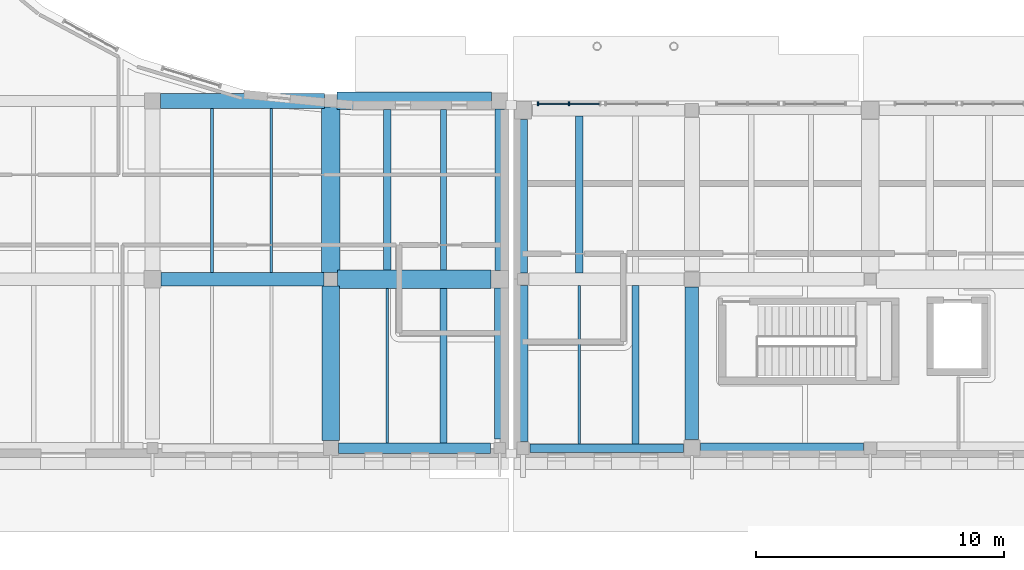
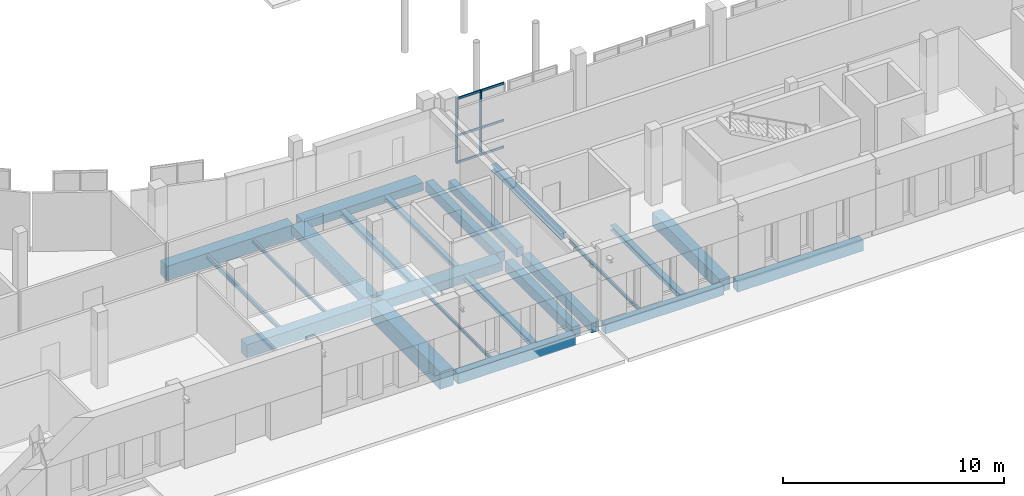
# One storey, part 9 of 77: 23 beams, 8 members, 1 element without a shape of its own.
"""IFC4 building model written with IfcOpenShell, lengths in metres."""

from ifc_helpers import new_model, si_unit, direction, frame, origin, origin_2d, place, context, subcontext, project, spatial, rectangle, i_section, extrude, material, layer, layer_set, material_profile, profile_set, type_object, element, aggregate, save


model = new_model("IFC4")

# Units and contexts
model_context = context("Model", 3, precision=1e-05, world=origin(), true_north=direction((0.0, 1.0)))
body_context = subcontext(model_context, "Body", "Model", "MODEL_VIEW")
ifc_project = project(units=[si_unit("LENGTHUNIT", "METRE"), si_unit("AREAUNIT", "SQUARE_METRE"), si_unit("VOLUMEUNIT", "CUBIC_METRE"), si_unit("PLANEANGLEUNIT", "RADIAN"), si_unit("MASSUNIT", "GRAM", prefix="KILO")], contexts=[model_context])

# Site, building, storey
site_placement = place(None, origin())
site = spatial("IfcSite", under=ifc_project, at=site_placement, CompositionType="ELEMENT")
building_placement = place(site_placement, origin())
building = spatial("IfcBuilding", under=site, at=building_placement, Name="Vardoun Plaza Health Centre", CompositionType="ELEMENT")
storey_placement = place(building_placement, origin())
storey = spatial("IfcBuildingStorey", under=building, at=storey_placement, Name="L00", CompositionType="ELEMENT", Elevation=0.0)

# Beams
ifc_material_1 = material(Name="Concrete C35/45", Category="concrete")
ifc_material_profile_1 = material_profile(ifc_material_1, rectangle(XDim=0.35009765625, YDim=0.5, at=origin_2d()), Name="RC-BM 350x500")
ifc_profile_set_1 = profile_set([ifc_material_profile_1], Name="Concrete C35/45")
beam_type_1 = type_object("IfcBeamType", Name="B-08", PredefinedType="SPANDREL", material=ifc_profile_set_1)
for number, where, z_axis, x_axis, name in (
    (1, (48.534912109375, 4.8798828125, -0.56494140625), (1.0, 0.0, 0.0), (0.0, 1.0, 0.0), "V4 L00 Beam B-V4-L00-X01"),
    (2, (48.260009765625, 11.949951171875, -0.56494140625), (0.0, 1.0, 0.0), (-1.0, 0.0, 0.0), "V4 L00 Beam B-V4-L00-Y26"),
):
    element("IfcBeam", number, at=place(storey_placement, frame(where, z_axis=z_axis, x_axis=x_axis)), inside=storey, type_object=beam_type_1, Name=name, PredefinedType="SPANDREL", context=body_context, shape_type="SweptSolid", body=[
        extrude(rectangle(XDim=0.35009765625, YDim=0.5, at=origin_2d()), origin(), (0.0, 0.0, 1.0), 6.195068359375),
    ])
ifc_material_2 = material(Name="Concrete C35/45", Category="concrete")
ifc_material_profile_2 = material_profile(ifc_material_2, rectangle(XDim=0.39990234375, YDim=0.550048828125, at=origin_2d()), Name="RC-BM 400x550")
ifc_profile_set_2 = profile_set([ifc_material_profile_2], Name="Concrete C35/45")
beam_type_2 = type_object("IfcBeamType", Name="B-09", PredefinedType="SPANDREL", material=ifc_profile_set_2)
beam_1_placement = place(storey_placement, frame((47.320068359375, 12.050048828125, -0.554931640625), z_axis=(0.0, 1.0, 0.0), x_axis=(-1.0, 0.0, 0.0)))
element("IfcBeam", 3, at=beam_1_placement, inside=storey, type_object=beam_type_2, Name="V2 L00 Beam B-V2-L00-Y67", PredefinedType="SPANDREL", context=body_context, shape_type="SweptSolid", body=[
    extrude(rectangle(XDim=0.39990234375, YDim=0.550048828125, at=origin_2d()), origin(), (0.0, 0.0, 1.0), 6.52490234375),
])
beam_2_placement = place(storey_placement, frame((48.260009765625, 5.155029296875, -0.590087890625), z_axis=(0.0, 1.0, 0.0), x_axis=(-1.0, 0.0, 0.0)))
element("IfcBeam", 4, at=beam_2_placement, inside=storey, type_object=beam_type_2, Name="V4 L00 Beam B-V4-L00-Y25", PredefinedType="SPANDREL", context=body_context, shape_type="SweptSolid", body=[
    extrude(rectangle(XDim=0.39990234375, YDim=0.550048828125, at=origin_2d()), origin(), (0.0, 0.0, 1.0), 6.294921875),
])
ifc_material_3 = material(Name="Concrete C35/45", Category="concrete")
ifc_material_profile_3 = material_profile(ifc_material_3, rectangle(XDim=0.419921875, YDim=0.580078125, at=origin_2d()), Name="RC-BM 420x580")
ifc_profile_set_3 = profile_set([ifc_material_profile_3], Name="Concrete C35/45")
beam_type_3 = type_object("IfcBeamType", Name="B-10", PredefinedType="SPANDREL", material=ifc_profile_set_3)
beam_3_placement = place(storey_placement, frame((40.800048828125, 4.8798828125, -0.570068359375), z_axis=(1.0, 0.0, 0.0), x_axis=(0.0, 1.0, 0.0)))
element("IfcBeam", 5, at=beam_3_placement, inside=storey, type_object=beam_type_3, Name="V2 L00 Beam B-V2-L00-X31", PredefinedType="SPANDREL", context=body_context, shape_type="SweptSolid", body=[
    extrude(rectangle(XDim=0.419921875, YDim=0.580078125, at=origin_2d()), origin(), (0.0, 0.0, 1.0), 6.14501953125),
])
beam_4_placement = place(storey_placement, frame((47.320068359375, 5.2548828125, -0.570068359375), z_axis=(0.0, 1.0, 0.0), x_axis=(-1.0, 0.0, 0.0)))
element("IfcBeam", 6, at=beam_4_placement, inside=storey, type_object=beam_type_3, Name="V2 L00 Beam B-V2-L00-Y66", PredefinedType="SPANDREL", context=body_context, shape_type="SweptSolid", body=[
    extrude(rectangle(XDim=0.419921875, YDim=0.580078125, at=origin_2d()), origin(), (0.0, 0.0, 1.0), 6.09521484375),
])
beam_5_placement = place(storey_placement, frame((55.429931640625, 4.8798828125, -0.60498046875), z_axis=(1.0, 0.0, 0.0), x_axis=(0.0, 1.0, 0.0)))
element("IfcBeam", 7, at=beam_5_placement, inside=storey, type_object=beam_type_3, Name="V4 L00 Beam B-V4-L00-X04", PredefinedType="SPANDREL", context=body_context, shape_type="SweptSolid", body=[
    extrude(rectangle(XDim=0.419921875, YDim=0.580078125, at=origin_2d()), origin(), (0.0, 0.0, 1.0), 6.574951171875),
])
ifc_material_4 = material(Name="Concrete C40/50", Category="concrete")
ifc_material_profile_4 = material_profile(ifc_material_4, rectangle(XDim=0.550048828125, YDim=0.719970703125, at=origin_2d()), Name="RC-BM 550x720")
ifc_profile_set_4 = profile_set([ifc_material_profile_4], Name="Concrete C40/50")
beam_type_4 = type_object("IfcBeamType", Name="B-14", PredefinedType="BEAM", material=ifc_profile_set_4)
beam_6_placement = place(storey_placement, frame((33.650146484375, 11.699951171875, -0.639892578125), z_axis=(1.0, 0.0, 0.0), x_axis=(0.0, 1.0, 0.0)))
element("IfcBeam", 8, at=beam_6_placement, inside=storey, type_object=beam_type_4, Name="V2 L00 Beam B-V2-L00-X29", PredefinedType="BEAM", context=body_context, shape_type="SweptSolid", body=[
    extrude(rectangle(XDim=0.550048828125, YDim=0.719970703125, at=origin_2d()), origin(), (0.0, 0.0, 1.0), 6.574951171875),
])
beam_7_placement = place(storey_placement, frame((55.080078125, 5.22998046875, -0.675048828125), z_axis=(0.0, 1.0, 0.0), x_axis=(-1.0, 0.0, 0.0)))
element("IfcBeam", 9, at=beam_7_placement, inside=storey, type_object=beam_type_4, Name="V4 L00 Beam B-V4-L00-Y27", PredefinedType="BEAM", context=body_context, shape_type="SweptSolid", body=[
    extrude(rectangle(XDim=0.550048828125, YDim=0.719970703125, at=origin_2d()), origin(), (0.0, 0.0, 1.0), 6.14501953125),
])
ifc_material_5 = material(Name="Concrete C40/50", Category="concrete")
ifc_material_profile_5 = material_profile(ifc_material_5, rectangle(XDim=0.60009765625, YDim=0.800048828125, at=origin_2d()), Name="RC-BM 600x800")
ifc_profile_set_5 = profile_set([ifc_material_profile_5], Name="Concrete C40/50")
beam_type_5 = type_object("IfcBeamType", Name="B-15", PredefinedType="JOIST", material=ifc_profile_set_5)
beam_8_placement = place(storey_placement, frame((33.625, 18.89990234375, -0.679931640625), z_axis=(1.0, 0.0, 0.0), x_axis=(0.0, 1.0, 0.0)))
element("IfcBeam", 10, at=beam_8_placement, inside=storey, type_object=beam_type_5, Name="V2 L00 Beam B-V2-L00-X30", PredefinedType="JOIST", context=body_context, shape_type="SweptSolid", body=[
    extrude(rectangle(XDim=0.60009765625, YDim=0.800048828125, at=origin_2d()), origin(), (0.0, 0.0, 1.0), 6.625),
])
ifc_material_6 = material(Name="Concrete C35/45", Category="concrete")
ifc_material_profile_6 = material_profile(ifc_material_6, rectangle(XDim=0.699951171875, YDim=0.449951171875, at=origin_2d()), Name="RC-BM 700x450")
ifc_profile_set_6 = profile_set([ifc_material_profile_6], Name="Concrete C35/45")
beam_type_6 = type_object("IfcBeamType", Name="B-06", PredefinedType="BEAM", material=ifc_profile_set_6)
beam_9_placement = place(storey_placement, frame((40.75, 18.89990234375, -0.5048828125), z_axis=(1.0, 0.0, 0.0), x_axis=(0.0, 1.0, 0.0)))
element("IfcBeam", 11, at=beam_9_placement, inside=storey, type_object=beam_type_6, Name="V2 L00 Beam B-V2-L00-X33", PredefinedType="BEAM", context=body_context, shape_type="SweptSolid", body=[
    extrude(rectangle(XDim=0.699951171875, YDim=0.449951171875, at=origin_2d()), origin(), (0.0, 0.0, 1.0), 6.2451171875),
])
ifc_material_7 = material(Name="Concrete C40/50", Category="concrete")
ifc_material_profile_7 = material_profile(ifc_material_7, rectangle(XDim=0.699951171875, YDim=0.949951171875, at=origin_2d()), Name="RC-BM 700x950")
ifc_profile_set_7 = profile_set([ifc_material_profile_7], Name="Concrete C40/50")
beam_type_7 = type_object("IfcBeamType", Name="B-16", PredefinedType="LINTEL", material=ifc_profile_set_7)
beam_10_placement = place(storey_placement, frame((40.5, 5.179931640625, -0.7548828125), z_axis=(0.0, 1.0, 0.0), x_axis=(-1.0, 0.0, 0.0)))
element("IfcBeam", 12, at=beam_10_placement, inside=storey, type_object=beam_type_7, Name="V2 L00 Beam B-V2-L00-Y64", PredefinedType="LINTEL", context=body_context, shape_type="SweptSolid", body=[
    extrude(rectangle(XDim=0.699951171875, YDim=0.949951171875, at=origin_2d()), origin(), (0.0, 0.0, 1.0), 6.2451171875),
])
ifc_material_8 = material(Name="Concrete C35/45", Category="concrete")
ifc_material_profile_8 = material_profile(ifc_material_8, rectangle(XDim=0.75, YDim=0.47998046875, at=origin_2d()), Name="RC-BM 750x480")
ifc_profile_set_8 = profile_set([ifc_material_profile_8], Name="Concrete C35/45")
beam_type_8 = type_object("IfcBeamType", Name="B-07", PredefinedType="BEAM", material=ifc_profile_set_8)
beam_11_placement = place(storey_placement, frame((40.775146484375, 11.699951171875, -0.52001953125), z_axis=(1.0, 0.0, 0.0), x_axis=(0.0, 1.0, 0.0)))
element("IfcBeam", 13, at=beam_11_placement, inside=storey, type_object=beam_type_8, Name="V2 L00 Beam B-V2-L00-X32", PredefinedType="BEAM", context=body_context, shape_type="SweptSolid", body=[
    extrude(rectangle(XDim=0.75, YDim=0.47998046875, at=origin_2d()), origin(), (0.0, 0.0, 1.0), 6.19482421875),
])
beam_12_placement = place(storey_placement, frame((40.5, 11.97509765625, -0.52001953125), z_axis=(0.0, 1.0, 0.0), x_axis=(-1.0, 0.0, 0.0)))
element("IfcBeam", 14, at=beam_12_placement, inside=storey, type_object=beam_type_8, Name="V2 L00 Beam B-V2-L00-Y65", PredefinedType="BEAM", context=body_context, shape_type="SweptSolid", body=[
    extrude(rectangle(XDim=0.75, YDim=0.47998046875, at=origin_2d()), origin(), (0.0, 0.0, 1.0), 6.6748046875),
])
ifc_material_9 = material(Name="Steel S355J2", Category="steel")
ifc_material_profile_9 = material_profile(ifc_material_9, i_section(OverallWidth=0.239990234375, OverallDepth=0.22998046875, WebThickness=0.007568359375, FlangeThickness=0.011962890625, FilletRadius=0.02099609375, at=origin_2d()), Name="HEA 240")
ifc_profile_set_9 = profile_set([ifc_material_profile_9], Name="Steel S355J2")
beam_type_9 = type_object("IfcBeamType", Name="SB-07", PredefinedType="BEAM", material=ifc_profile_set_9)
beam_13_placement = place(storey_placement, frame((45.046875, 12.074951171875, -0.39501953125), z_axis=(0.0, 1.0, 0.0), x_axis=(-1.0, 0.0, 0.0)))
element("IfcBeam", 15, at=beam_13_placement, inside=storey, type_object=beam_type_9, Name="V2 L00 Secondary Floor Beam SJ-V2-L00-46", PredefinedType="BEAM", context=body_context, shape_type="SweptSolid", body=[
    extrude(i_section(OverallWidth=0.239990234375, OverallDepth=0.22998046875, WebThickness=0.007568359375, FlangeThickness=0.011962890625, FilletRadius=0.02099609375, at=origin_2d()), origin(), (0.0, 0.0, 1.0), 6.47509765625),
])
ifc_material_10 = material(Name="Steel S355J2", Category="steel")
ifc_material_profile_10 = material_profile(ifc_material_10, i_section(OverallWidth=0.280029296875, OverallDepth=0.27001953125, WebThickness=0.008056640625, FlangeThickness=0.012939453125, FilletRadius=0.02392578125, at=origin_2d()), Name="HEA 280")
ifc_profile_set_10 = profile_set([ifc_material_profile_10], Name="Steel S355J2")
beam_type_10 = type_object("IfcBeamType", Name="SB-06", PredefinedType="BEAM", material=ifc_profile_set_10)
beam_14_placement = place(storey_placement, frame((45.046875, 5.090087890625, -0.4150390625), z_axis=(0.0, 1.0, 0.0), x_axis=(-1.0, 0.0, 0.0)))
element("IfcBeam", 16, at=beam_14_placement, inside=storey, type_object=beam_type_10, Name="V2 L00 Secondary Floor Beam SJ-V2-L00-45", PredefinedType="BEAM", context=body_context, shape_type="SweptSolid", body=[
    extrude(i_section(OverallWidth=0.280029296875, OverallDepth=0.27001953125, WebThickness=0.008056640625, FlangeThickness=0.012939453125, FilletRadius=0.02392578125, at=origin_2d()), origin(), (0.0, 0.0, 1.0), 6.23486328125),
])
beam_15_placement = place(storey_placement, frame((52.806884765625, 5.054931640625, -0.449951171875), z_axis=(0.0, 1.0, 0.0), x_axis=(-1.0, 0.0, 0.0)))
element("IfcBeam", 17, at=beam_15_placement, inside=storey, type_object=beam_type_10, Name="V4 L00 Secondary Floor Beam SJ-V4-L00-03", PredefinedType="BEAM", context=body_context, shape_type="SweptSolid", body=[
    extrude(i_section(OverallWidth=0.280029296875, OverallDepth=0.27001953125, WebThickness=0.008056640625, FlangeThickness=0.012939453125, FilletRadius=0.02392578125, at=origin_2d()), origin(), (0.0, 0.0, 1.0), 6.39501953125),
])
ifc_material_11 = material(Name="Steel S355J2", Category="steel")
ifc_material_profile_11 = material_profile(ifc_material_11, i_section(OverallWidth=0.300048828125, OverallDepth=0.330078125, WebThickness=0.009521484375, FlangeThickness=0.0166015625, FilletRadius=0.027099609375, at=origin_2d()), Name="HEA 340")
ifc_profile_set_11 = profile_set([ifc_material_profile_11], Name="Steel S355J2")
beam_type_11 = type_object("IfcBeamType", Name="SB-04", PredefinedType="BEAM", material=ifc_profile_set_11)
beam_16_placement = place(storey_placement, frame((42.773193359375, 12.074951171875, -0.445068359375), z_axis=(0.0, 1.0, 0.0), x_axis=(-1.0, 0.0, 0.0)))
element("IfcBeam", 18, at=beam_16_placement, inside=storey, type_object=beam_type_11, Name="V2 L00 Secondary Floor Beam SJ-V2-L00-44", PredefinedType="BEAM", context=body_context, shape_type="SweptSolid", body=[
    extrude(i_section(OverallWidth=0.300048828125, OverallDepth=0.330078125, WebThickness=0.009521484375, FlangeThickness=0.0166015625, FilletRadius=0.027099609375, at=origin_2d()), origin(), (0.0, 0.0, 1.0), 6.47509765625),
])
beam_17_placement = place(storey_placement, frame((50.533203125, 11.949951171875, -0.47998046875), z_axis=(0.0, 1.0, 0.0), x_axis=(-1.0, 0.0, 0.0)))
element("IfcBeam", 19, at=beam_17_placement, inside=storey, type_object=beam_type_11, Name="V4 L00 Secondary Floor Beam SJ-V4-L00-02", PredefinedType="BEAM", context=body_context, shape_type="SweptSolid", body=[
    extrude(i_section(OverallWidth=0.300048828125, OverallDepth=0.330078125, WebThickness=0.009521484375, FlangeThickness=0.0166015625, FilletRadius=0.027099609375, at=origin_2d()), origin(), (0.0, 0.0, 1.0), 6.344970703125),
])
ifc_material_12 = material(Name="Steel S355J2", Category="steel")
ifc_material_profile_12 = material_profile(ifc_material_12, i_section(OverallWidth=0.091064453125, OverallDepth=0.179931640625, WebThickness=0.00537109375, FlangeThickness=0.008056640625, FilletRadius=0.009033203125, at=origin_2d()), Name="IPE 180")
ifc_profile_set_12 = profile_set([ifc_material_profile_12], Name="Steel S355J2")
beam_type_12 = type_object("IfcBeamType", Name="SB-20", PredefinedType="SPANDREL", material=ifc_profile_set_12)
beam_18_placement = place(storey_placement, frame((42.773193359375, 5.090087890625, -0.3701171875), z_axis=(0.0, 1.0, 0.0), x_axis=(-1.0, 0.0, 0.0)))
element("IfcBeam", 20, at=beam_18_placement, inside=storey, type_object=beam_type_12, Name="V2 L00 Secondary Floor Beam SJ-V2-L00-43", PredefinedType="SPANDREL", context=body_context, shape_type="SweptSolid", body=[
    extrude(i_section(OverallWidth=0.091064453125, OverallDepth=0.179931640625, WebThickness=0.00537109375, FlangeThickness=0.008056640625, FilletRadius=0.009033203125, at=origin_2d()), origin(), (0.0, 0.0, 1.0), 6.23486328125),
])
beam_19_placement = place(storey_placement, frame((50.533203125, 5.054931640625, -0.405029296875), z_axis=(0.0, 1.0, 0.0), x_axis=(-1.0, 0.0, 0.0)))
element("IfcBeam", 21, at=beam_19_placement, inside=storey, type_object=beam_type_12, Name="V4 L00 Secondary Floor Beam SJ-V4-L00-01", PredefinedType="SPANDREL", context=body_context, shape_type="SweptSolid", body=[
    extrude(i_section(OverallWidth=0.091064453125, OverallDepth=0.179931640625, WebThickness=0.00537109375, FlangeThickness=0.008056640625, FilletRadius=0.009033203125, at=origin_2d()), origin(), (0.0, 0.0, 1.0), 6.39501953125),
])
ifc_material_13 = material(Name="Steel S355J2", Category="steel")
ifc_material_profile_13 = material_profile(ifc_material_13, i_section(OverallWidth=0.10009765625, OverallDepth=0.199951171875, WebThickness=0.005615234375, FlangeThickness=0.008544921875, FilletRadius=0.011962890625, at=origin_2d()), Name="IPE 200")
ifc_profile_set_13 = profile_set([ifc_material_profile_13], Name="Steel S355J2")
beam_type_13 = type_object("IfcBeamType", Name="SB-19", PredefinedType="SPANDREL", material=ifc_profile_set_13)
beam_20_placement = place(storey_placement, frame((38.10009765625, 11.97509765625, -0.3798828125), z_axis=(0.0, 1.0, 0.0), x_axis=(-1.0, 0.0, 0.0)))
element("IfcBeam", 22, at=beam_20_placement, inside=storey, type_object=beam_type_13, Name="V2 L00 Secondary Floor Beam SJ-V2-L00-42", PredefinedType="SPANDREL", context=body_context, shape_type="SweptSolid", body=[
    extrude(i_section(OverallWidth=0.10009765625, OverallDepth=0.199951171875, WebThickness=0.005615234375, FlangeThickness=0.008544921875, FilletRadius=0.011962890625, at=origin_2d()), origin(), (0.0, 0.0, 1.0), 6.625),
])
ifc_material_14 = material(Name="Steel S355J2", Category="steel")
ifc_material_profile_14 = material_profile(ifc_material_14, i_section(OverallWidth=0.1201171875, OverallDepth=0.239990234375, WebThickness=0.006103515625, FlangeThickness=0.009765625, FilletRadius=0.014892578125, at=origin_2d()), Name="IPE 240")
ifc_profile_set_14 = profile_set([ifc_material_profile_14], Name="Steel S355J2")
beam_type_14 = type_object("IfcBeamType", Name="SB-17", PredefinedType="JOIST", material=ifc_profile_set_14)
beam_21_placement = place(storey_placement, frame((35.69970703125, 11.97509765625, -0.39990234375), z_axis=(0.0, 1.0, 0.0), x_axis=(-1.0, 0.0, 0.0)))
element("IfcBeam", 23, at=beam_21_placement, inside=storey, type_object=beam_type_14, Name="V2 L00 Secondary Floor Beam SJ-V2-L00-40", PredefinedType="JOIST", context=body_context, shape_type="SweptSolid", body=[
    extrude(i_section(OverallWidth=0.1201171875, OverallDepth=0.239990234375, WebThickness=0.006103515625, FlangeThickness=0.009765625, FilletRadius=0.014892578125, at=origin_2d()), origin(), (0.0, 0.0, 1.0), 6.625),
])

# Curtain wall, members
ifc_material_15 = material(Name="Aluminium Alloy EN AW-6063-T6 and Low-E Glass", Category="aluminium")
ifc_layer = layer(ifc_material_15, 0.14990234375)
ifc_layer_set = layer_set([ifc_layer], Name="Aluminium Alloy EN AW-6063-T6 and Low-E Glass")
curtain_wall_type = type_object("IfcCurtainWallType", Name="CW-03", PredefinedType="NOTDEFINED", material=ifc_layer_set)
curtain_wall_placement = place(storey_placement, origin())
curtain_wall = element("IfcCurtainWall", 24, at=curtain_wall_placement, inside=storey, type_object=curtain_wall_type, Name="Curtain Wall CW-V4-101", PredefinedType="NOTDEFINED")
ifc_material_16 = material(Name="Aluminium Alloy EN AW-6063-T6", Category="aluminium")
ifc_material_profile_15 = material_profile(ifc_material_16, rectangle(XDim=0.159912109375, YDim=0.06005859375, at=origin_2d()), Name="CWM 60x160")
ifc_profile_set_15 = profile_set([ifc_material_profile_15], Name="Aluminium Alloy EN AW-6063-T6")
member_type_1 = type_object("IfcMemberType", Name="CW-M1", PredefinedType="MULLION", material=ifc_profile_set_15)
member_1_placement = place(storey_placement, frame((48.8701171875, 18.780029296875, 0.0), z_axis=(0.0, 0.0, 1.0), x_axis=(0.0, 1.0, 0.0)))
member_1 = element("IfcMember", 25, at=member_1_placement, type_object=member_type_1, Name="CW-V4-101 mullion 1", PredefinedType="MULLION", context=body_context, shape_type="SweptSolid", body=[
    extrude(rectangle(XDim=0.159912109375, YDim=0.06005859375, at=origin_2d()), origin(), (0.0, 0.0, 1.0), 3.590087890625),
])
member_2_placement = place(storey_placement, frame((50.1201171875, 18.780029296875, 0.0), z_axis=(0.0, 0.0, 1.0), x_axis=(0.0, 1.0, 0.0)))
member_2 = element("IfcMember", 26, at=member_2_placement, type_object=member_type_1, Name="CW-V4-101 mullion 2", PredefinedType="MULLION", context=body_context, shape_type="SweptSolid", body=[
    extrude(rectangle(XDim=0.159912109375, YDim=0.06005859375, at=origin_2d()), origin(), (0.0, 0.0, 1.0), 3.590087890625),
])
ifc_material_17 = material(Name="Aluminium Alloy EN AW-6063-T6", Category="aluminium")
ifc_material_profile_16 = material_profile(ifc_material_17, rectangle(XDim=0.06005859375, YDim=0.1201171875, at=origin_2d()), Name="CWT 60x120")
ifc_profile_set_16 = profile_set([ifc_material_profile_16], Name="Aluminium Alloy EN AW-6063-T6")
member_type_2 = type_object("IfcMemberType", Name="CW-T1", PredefinedType="USERDEFINED", material=ifc_profile_set_16)
member_3_placement = place(storey_placement, frame((48.900146484375, 18.780029296875, 0.030029296875), z_axis=(1.0, 0.0, 0.0), x_axis=(0.0, 1.0, 0.0)))
member_3 = element("IfcMember", 27, at=member_3_placement, type_object=member_type_2, Name="CW-V4-101 transom 1.1", ObjectType="TRANSOM", PredefinedType="USERDEFINED", context=body_context, shape_type="SweptSolid", body=[
    extrude(rectangle(XDim=0.06005859375, YDim=0.1201171875, at=origin_2d()), origin(), (0.0, 0.0, 1.0), 1.18994140625),
])
member_4_placement = place(storey_placement, frame((48.900146484375, 18.780029296875, 1.5078125), z_axis=(1.0, 0.0, 0.0), x_axis=(0.0, 1.0, 0.0)))
member_4 = element("IfcMember", 28, at=member_4_placement, type_object=member_type_2, Name="CW-V4-101 transom 1.2", ObjectType="TRANSOM", PredefinedType="USERDEFINED", context=body_context, shape_type="SweptSolid", body=[
    extrude(rectangle(XDim=0.06005859375, YDim=0.1201171875, at=origin_2d()), origin(), (0.0, 0.0, 1.0), 1.18994140625),
])
member_5_placement = place(storey_placement, frame((48.900146484375, 18.780029296875, 3.56005859375), z_axis=(1.0, 0.0, 0.0), x_axis=(0.0, 1.0, 0.0)))
member_5 = element("IfcMember", 29, at=member_5_placement, type_object=member_type_2, Name="CW-V4-101 transom 1.3", ObjectType="TRANSOM", PredefinedType="USERDEFINED", context=body_context, shape_type="SweptSolid", body=[
    extrude(rectangle(XDim=0.06005859375, YDim=0.1201171875, at=origin_2d()), origin(), (0.0, 0.0, 1.0), 1.18994140625),
])
member_6_placement = place(storey_placement, frame((50.150146484375, 18.780029296875, 0.030029296875), z_axis=(1.0, 0.0, 0.0), x_axis=(0.0, 1.0, 0.0)))
member_6 = element("IfcMember", 30, at=member_6_placement, type_object=member_type_2, Name="CW-V4-101 transom 2.1", ObjectType="TRANSOM", PredefinedType="USERDEFINED", context=body_context, shape_type="SweptSolid", body=[
    extrude(rectangle(XDim=0.06005859375, YDim=0.1201171875, at=origin_2d()), origin(), (0.0, 0.0, 1.0), 1.18994140625),
])
member_7_placement = place(storey_placement, frame((50.150146484375, 18.780029296875, 1.5078125), z_axis=(1.0, 0.0, 0.0), x_axis=(0.0, 1.0, 0.0)))
member_7 = element("IfcMember", 31, at=member_7_placement, type_object=member_type_2, Name="CW-V4-101 transom 2.2", ObjectType="TRANSOM", PredefinedType="USERDEFINED", context=body_context, shape_type="SweptSolid", body=[
    extrude(rectangle(XDim=0.06005859375, YDim=0.1201171875, at=origin_2d()), origin(), (0.0, 0.0, 1.0), 1.18994140625),
])
member_8_placement = place(storey_placement, frame((50.150146484375, 18.780029296875, 3.56005859375), z_axis=(1.0, 0.0, 0.0), x_axis=(0.0, 1.0, 0.0)))
member_8 = element("IfcMember", 32, at=member_8_placement, type_object=member_type_2, Name="CW-V4-101 transom 2.3", ObjectType="TRANSOM", PredefinedType="USERDEFINED", context=body_context, shape_type="SweptSolid", body=[
    extrude(rectangle(XDim=0.06005859375, YDim=0.1201171875, at=origin_2d()), origin(), (0.0, 0.0, 1.0), 1.18994140625),
])
aggregate(curtain_wall, [member_1, member_2, member_3, member_4, member_5, member_6, member_7, member_8])

save(model, "model.ifc")
